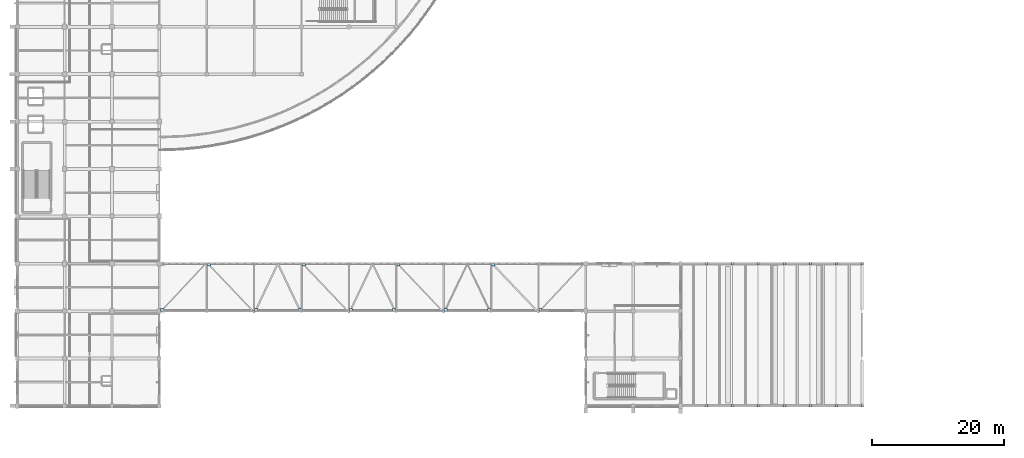
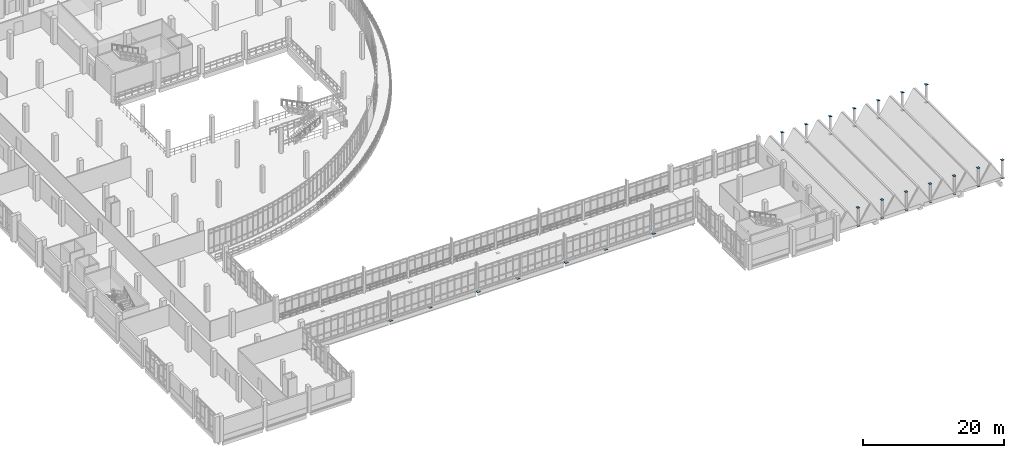
# One storey, part 105 of 124: 40 plates.
"""IFC4 building model written with IfcOpenShell, lengths in metres."""

from ifc_helpers import new_model, si_unit, direction, frame, origin, origin_2d, place, context, subcontext, project, spatial, rectangle, extrude, material, layer, layer_set, type_object, element, save


model = new_model("IFC4")

# Units and contexts
model_context = context("Model", 3, precision=1e-05, world=origin(), true_north=direction((0.0, 1.0)))
body_context = subcontext(model_context, "Body", "Model", "MODEL_VIEW")
ifc_project = project(units=[si_unit("LENGTHUNIT", "METRE"), si_unit("AREAUNIT", "SQUARE_METRE"), si_unit("VOLUMEUNIT", "CUBIC_METRE"), si_unit("PLANEANGLEUNIT", "RADIAN"), si_unit("MASSUNIT", "GRAM", prefix="KILO")], contexts=[model_context])

# Site, building, storey
site_placement = place(None, origin())
site = spatial("IfcSite", under=ifc_project, at=site_placement, CompositionType="ELEMENT")
building_placement = place(site_placement, origin())
building = spatial("IfcBuilding", under=site, at=building_placement, Name="Kalluvel Institute of Natural Sciences", CompositionType="ELEMENT")
storey_placement = place(building_placement, frame((0.0, 0.0, 9.89990234375)))
storey = spatial("IfcBuildingStorey", under=building, at=storey_placement, Name="L02", CompositionType="ELEMENT", Elevation=9.89990234375)

# Plates
ifc_material = material(Name="Steel E350 Grade 350", Category="steel")
ifc_layer_1 = layer(ifc_material, 0.028076171875)
ifc_layer_set_1 = layer_set([ifc_layer_1], Name="Steel E350 Grade 350")
plate_type_1 = type_object("IfcPlateType", Name="PL-GUS-380x28", PredefinedType="USERDEFINED", material=ifc_layer_set_1)
for number, where, z_axis, x_axis, name in (
    (1, (118.742919921875, 14.0, 0.64990234375), (0.0, 0.0, 1.0), (1.0, 0.0, 0.0), "Lecture theatre valley mullion post 1 sealed end cap BOT"),
    (2, (118.742919921875, 14.0, 3.7919921875), (0.0, 0.0, 1.0), (1.0, 0.0, 0.0), "Lecture theatre valley mullion post 1 sealed end cap TOP"),
    (3, (122.685791015625, 14.0, 0.64990234375), (0.0, 0.0, 1.0), (1.0, 0.0, 0.0), "Lecture theatre valley mullion post 2 sealed end cap BOT"),
    (4, (122.685791015625, 14.0, 3.7919921875), (0.0, 0.0, 1.0), (1.0, 0.0, 0.0), "Lecture theatre valley mullion post 2 sealed end cap TOP"),
    (5, (126.628662109375, 14.0, 0.64990234375), (0.0, 0.0, 1.0), (1.0, 0.0, 0.0), "Lecture theatre valley mullion post 3 sealed end cap BOT"),
    (6, (126.628662109375, 14.0, 3.7919921875), (0.0, 0.0, 1.0), (1.0, 0.0, 0.0), "Lecture theatre valley mullion post 3 sealed end cap TOP"),
    (7, (130.5712890625, 14.0, 0.64990234375), (0.0, 0.0, 1.0), (1.0, 0.0, 0.0), "Lecture theatre valley mullion post 4 sealed end cap BOT"),
    (8, (130.5712890625, 14.0, 3.7919921875), (0.0, 0.0, 1.0), (1.0, 0.0, 0.0), "Lecture theatre valley mullion post 4 sealed end cap TOP"),
    (9, (134.514404296875, 14.0, 0.64990234375), (0.0, 0.0, 1.0), (1.0, 0.0, 0.0), "Lecture theatre valley mullion post 5 sealed end cap BOT"),
    (10, (134.514404296875, 14.0, 3.7919921875), (0.0, 0.0, 1.0), (1.0, 0.0, 0.0), "Lecture theatre valley mullion post 5 sealed end cap TOP"),
    (11, (138.45703125, 14.0, 0.64990234375), (0.0, 0.0, 1.0), (1.0, 0.0, 0.0), "Lecture theatre valley mullion post 6 sealed end cap BOT"),
    (12, (138.45703125, 14.0, 3.7919921875), (0.0, 0.0, 1.0), (1.0, 0.0, 0.0), "Lecture theatre valley mullion post 6 sealed end cap TOP"),
    (13, (142.39990234375, 14.0, 0.64990234375), (0.0, 0.0, 1.0), (1.0, 0.0, 0.0), "Lecture theatre valley mullion post 7 sealed end cap BOT"),
    (14, (142.39990234375, 14.0, 3.7919921875), (0.0, 0.0, 1.0), (1.0, 0.0, 0.0), "Lecture theatre valley mullion post 7 sealed end cap TOP"),
    (15, (118.742919921875, 35.60009765625, 0.64990234375), (0.0, 0.0, 1.0), (1.0, 0.0, 0.0), "Lecture theatre valley mullion post 8 sealed end cap BOT"),
    (16, (118.742919921875, 35.60009765625, 3.7919921875), (0.0, 0.0, 1.0), (1.0, 0.0, 0.0), "Lecture theatre valley mullion post 8 sealed end cap TOP"),
    (17, (122.685791015625, 35.60009765625, 0.64990234375), (0.0, 0.0, 1.0), (1.0, 0.0, 0.0), "Lecture theatre valley mullion post 9 sealed end cap BOT"),
    (18, (122.685791015625, 35.60009765625, 3.7919921875), (0.0, 0.0, 1.0), (1.0, 0.0, 0.0), "Lecture theatre valley mullion post 9 sealed end cap TOP"),
    (19, (126.628662109375, 35.60009765625, 0.64990234375), (0.0, 0.0, 1.0), (1.0, 0.0, 0.0), "Lecture theatre valley mullion post 10 sealed end cap BOT"),
    (20, (126.628662109375, 35.60009765625, 3.7919921875), (0.0, 0.0, 1.0), (1.0, 0.0, 0.0), "Lecture theatre valley mullion post 10 sealed end cap TOP"),
    (21, (130.5712890625, 35.60009765625, 0.64990234375), (0.0, 0.0, 1.0), (1.0, 0.0, 0.0), "Lecture theatre valley mullion post 11 sealed end cap BOT"),
    (22, (130.5712890625, 35.60009765625, 3.7919921875), (0.0, 0.0, 1.0), (1.0, 0.0, 0.0), "Lecture theatre valley mullion post 11 sealed end cap TOP"),
    (23, (134.514404296875, 35.60009765625, 0.64990234375), (0.0, 0.0, 1.0), (1.0, 0.0, 0.0), "Lecture theatre valley mullion post 12 sealed end cap BOT"),
    (24, (134.514404296875, 35.60009765625, 3.7919921875), (0.0, 0.0, 1.0), (1.0, 0.0, 0.0), "Lecture theatre valley mullion post 12 sealed end cap TOP"),
    (25, (138.45703125, 35.60009765625, 0.64990234375), (0.0, 0.0, 1.0), (1.0, 0.0, 0.0), "Lecture theatre valley mullion post 13 sealed end cap BOT"),
    (26, (138.45703125, 35.60009765625, 3.7919921875), (0.0, 0.0, 1.0), (1.0, 0.0, 0.0), "Lecture theatre valley mullion post 13 sealed end cap TOP"),
    (27, (142.39990234375, 35.60009765625, 0.64990234375), (0.0, 0.0, 1.0), (1.0, 0.0, 0.0), "Lecture theatre valley mullion post 14 sealed end cap BOT"),
    (28, (142.39990234375, 35.60009765625, 3.7919921875), (0.0, 0.0, 1.0), (1.0, 0.0, 0.0), "Lecture theatre valley mullion post 14 sealed end cap TOP"),
):
    element("IfcPlate", number, at=place(storey_placement, frame(where, z_axis=z_axis, x_axis=x_axis)), inside=storey, type_object=plate_type_1, Name=name, ObjectType="GUSSET PLATE", PredefinedType="USERDEFINED", context=body_context, shape_type="SweptSolid", body=[
        extrude(rectangle(XDim=0.3798828125, YDim=0.3798828125, at=origin_2d()), origin(), (0.0, 0.0, 1.0), 0.028076171875),
    ])
ifc_layer_2 = layer(ifc_material, 0.030029296875)
ifc_layer_set_2 = layer_set([ifc_layer_2], Name="Steel E350 Grade 350")
plate_type_2 = type_object("IfcPlateType", Name="PL-GUS-480x30", PredefinedType="USERDEFINED", material=ifc_layer_set_2)
for number, where, z_axis, x_axis, name in (
    (29, (56.8701171875, 28.56005859375, -0.71484375), (0.0, 0.0, 1.0), (1.0, 0.0, 0.0), "L02 link bridge node gusset plate L02-03-2"),
    (30, (71.27001953125, 28.56005859375, -0.71484375), (0.0, 0.0, 1.0), (1.0, 0.0, 0.0), "L02 link bridge node gusset plate L02-05-2"),
    (31, (85.669921875, 28.56005859375, -0.71484375), (0.0, 0.0, 1.0), (1.0, 0.0, 0.0), "L02 link bridge node gusset plate L02-07-2"),
):
    element("IfcPlate", number, at=place(storey_placement, frame(where, z_axis=z_axis, x_axis=x_axis)), inside=storey, type_object=plate_type_2, Name=name, ObjectType="GUSSET PLATE", PredefinedType="USERDEFINED", context=body_context, shape_type="SweptSolid", body=[
        extrude(rectangle(XDim=0.47998046875, YDim=0.39990234375, at=origin_2d()), origin(), (0.0, 0.0, 1.0), 0.030029296875),
    ])
ifc_layer_3 = layer(ifc_material, 0.031982421875)
ifc_layer_set_3 = layer_set([ifc_layer_3], Name="Steel E350 Grade 350")
plate_type_3 = type_object("IfcPlateType", Name="PL-GUS-500x32", PredefinedType="USERDEFINED", material=ifc_layer_set_3)
for number, where, z_axis, x_axis, name in (
    (32, (36.030029296875, 28.56005859375, -0.7158203125), (0.0, 0.0, 1.0), (1.0, 0.0, 0.0), "L02 link bridge node gusset plate L02-01-1"),
    (33, (43.1298828125, 35.43994140625, -0.7158203125), (0.0, 0.0, 1.0), (1.0, 0.0, 0.0), "L02 link bridge node gusset plate L02-02-1"),
    (34, (50.330078125, 28.56005859375, -0.7158203125), (0.0, 0.0, 1.0), (1.0, 0.0, 0.0), "L02 link bridge node gusset plate L02-03-1"),
    (35, (57.530029296875, 35.43994140625, -0.7158203125), (0.0, 0.0, 1.0), (1.0, 0.0, 0.0), "L02 link bridge node gusset plate L02-04-1"),
    (36, (64.72998046875, 28.56005859375, -0.7158203125), (0.0, 0.0, 1.0), (1.0, 0.0, 0.0), "L02 link bridge node gusset plate L02-05-1"),
    (37, (71.929931640625, 35.43994140625, -0.7158203125), (0.0, 0.0, 1.0), (1.0, 0.0, 0.0), "L02 link bridge node gusset plate L02-06-1"),
    (38, (79.1298828125, 28.56005859375, -0.7158203125), (0.0, 0.0, 1.0), (1.0, 0.0, 0.0), "L02 link bridge node gusset plate L02-07-1"),
    (39, (86.330078125, 35.43994140625, -0.7158203125), (0.0, 0.0, 1.0), (1.0, 0.0, 0.0), "L02 link bridge node gusset plate L02-08-1"),
    (40, (93.530029296875, 28.56005859375, -0.7158203125), (0.0, 0.0, 1.0), (1.0, 0.0, 0.0), "L02 link bridge node gusset plate L02-09-1"),
):
    element("IfcPlate", number, at=place(storey_placement, frame(where, z_axis=z_axis, x_axis=x_axis)), inside=storey, type_object=plate_type_3, Name=name, ObjectType="GUSSET PLATE", PredefinedType="USERDEFINED", context=body_context, shape_type="SweptSolid", body=[
        extrude(rectangle(XDim=0.5, YDim=0.419921875, at=origin_2d()), origin(), (0.0, 0.0, 1.0), 0.031982421875),
    ])

save(model, "model.ifc")
